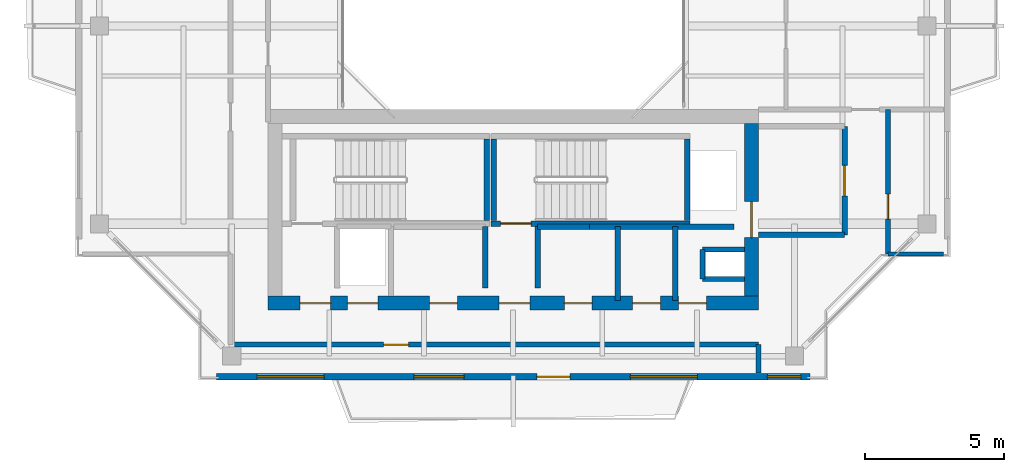
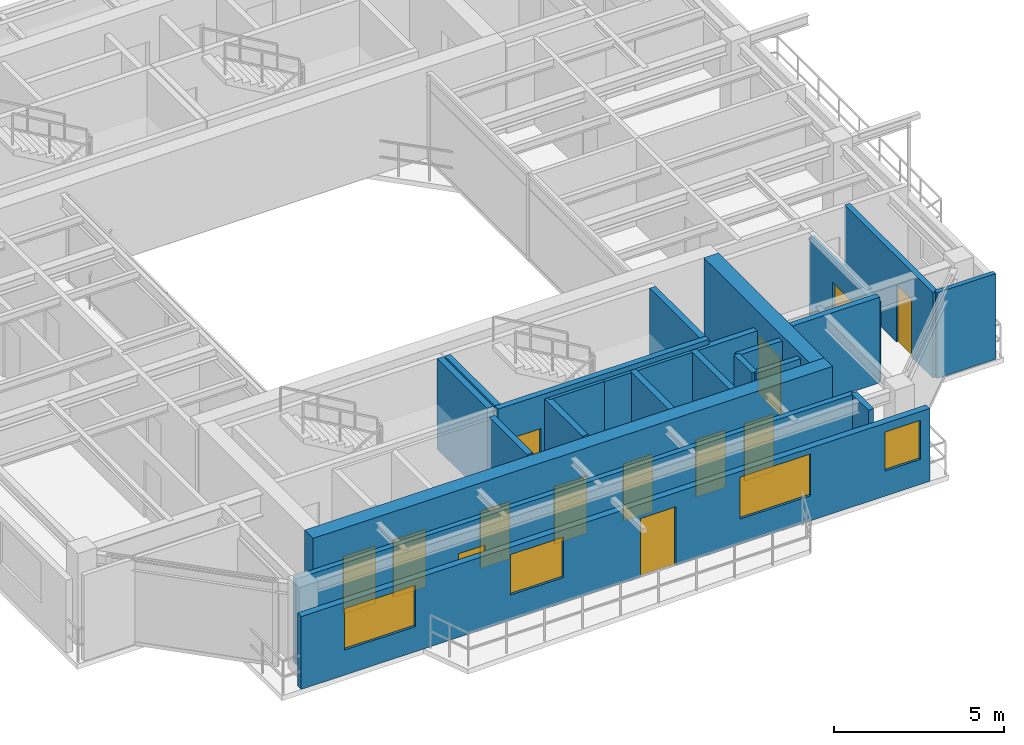
# One storey, part 9 of 14: 22 walls, 13 doors, 4 windows, 17 openings.
"""IFC4 building model written with IfcOpenShell, lengths in metres."""

from ifc_helpers import new_model, si_unit, direction, frame, frame_2d, origin, place, context, subcontext, project, spatial, rectangle, extrude, source, transform, mapped, material, layer, layer_set, type_object, element, fill, save


model = new_model("IFC4")

# Units and contexts
model_context = context("Model", 3, precision=1e-05, world=origin(), true_north=direction((0.0, 1.0)))
body_context = subcontext(model_context, "Body", "Model", "MODEL_VIEW")
ifc_project = project(units=[si_unit("LENGTHUNIT", "METRE"), si_unit("AREAUNIT", "SQUARE_METRE"), si_unit("VOLUMEUNIT", "CUBIC_METRE"), si_unit("PLANEANGLEUNIT", "RADIAN"), si_unit("MASSUNIT", "GRAM", prefix="KILO"), si_unit("THERMODYNAMICTEMPERATUREUNIT", "KELVIN"), si_unit("POWERUNIT", "WATT")], contexts=[model_context])

# Site, building, storey
site_placement = place(None, origin())
site = spatial("IfcSite", under=ifc_project, at=site_placement, CompositionType="ELEMENT")
building_placement = place(site_placement, origin())
building = spatial("IfcBuilding", under=site, at=building_placement, Name="Qiaomeng Ring Towers", CompositionType="ELEMENT")
storey_placement = place(building_placement, frame((0.0, 0.0, 240.5)))
storey = spatial("IfcBuildingStorey", under=building, at=storey_placement, Name="L70", CompositionType="ELEMENT", Elevation=240.5)

# Wall, openings, windows, door
ifc_material_1 = material(Name="Precast concrete C40", Category="concrete")
ifc_layer_1 = layer(ifc_material_1, 0.219970703125, Name="Precast concrete C40")
ifc_layer_set_1 = layer_set([ifc_layer_1], Name="Precast concrete C40")
wall_type_1 = type_object("IfcWallType", Name="ARC-WL-EW2", PredefinedType="STANDARD", material=ifc_layer_set_1)
wall_1_placement = place(storey_placement, frame((8.35009765625, 7.409912109375, 0.0), z_axis=(0.0, 0.0, 1.0), x_axis=(1.0, 0.0, 0.0)))
wall_1 = element("IfcWall", 1, at=wall_1_placement, inside=storey, type_object=wall_type_1, Name="L70 Tower 1 S Exterior Wall", PredefinedType="STANDARD", context=body_context, shape_type="SweptSolid", body=[
    extrude(rectangle(XDim=21.2998046875, YDim=0.219970703125, at=frame_2d((10.64990234375, 0.0))), origin(), (0.0, 0.0, 1.0), 2.610107421875),
])
opening_1_placement = place(wall_1_placement, frame((11.5, 0.0, 0.0)))
opening_1 = element("IfcOpeningElement", 2, at=opening_1_placement, cuts=wall_1, Name="Opening BD1", PredefinedType="OPENING", context=body_context, shape_type="SweptSolid", body=[
    extrude(rectangle(XDim=1.199951171875, YDim=2.10009765625, at=frame_2d((0.60009765625, 1.050048828125))), frame((0.0, 0.119873046875, 0.0), z_axis=(0.0, -1.0, 0.0), x_axis=(1.0, 0.0, 0.0)), (0.0, 0.0, 1.0), 0.239990234375),
])
opening_2_placement = place(wall_1_placement, frame((1.462890625, 0.0, 0.89990234375)))
opening_2 = element("IfcOpeningElement", 3, at=opening_2_placement, cuts=wall_1, Name="Opening WN6", PredefinedType="OPENING", context=body_context, shape_type="SweptSolid", body=[
    extrude(rectangle(XDim=2.39990234375, YDim=1.47998046875, at=frame_2d((1.199951171875, 0.739990234375))), frame((0.0, 0.119873046875, 0.0), z_axis=(0.0, -1.0, 0.0), x_axis=(1.0, 0.0, 0.0)), (0.0, 0.0, 1.0), 0.239990234375),
])
opening_3_placement = place(wall_1_placement, frame((7.087890625, 0.0, 0.89990234375)))
opening_3 = element("IfcOpeningElement", 4, at=opening_3_placement, cuts=wall_1, Name="Opening WN1", PredefinedType="OPENING", context=body_context, shape_type="SweptSolid", body=[
    extrude(rectangle(XDim=1.800048828125, YDim=1.449951171875, at=frame_2d((0.89990234375, 0.72509765625))), frame((0.0, 0.119873046875, 0.0), z_axis=(0.0, -1.0, 0.0), x_axis=(1.0, 0.0, 0.0)), (0.0, 0.0, 1.0), 0.239990234375),
])
opening_4_placement = place(wall_1_placement, frame((19.77490234375, 0.0, 0.89990234375)))
opening_4 = element("IfcOpeningElement", 5, at=opening_4_placement, cuts=wall_1, Name="Opening WN3", PredefinedType="OPENING", context=body_context, shape_type="SweptSolid", body=[
    extrude(rectangle(XDim=1.199951171875, YDim=1.39990234375, at=frame_2d((0.60009765625, 0.699951171875))), frame((0.0, 0.119873046875, 0.0), z_axis=(0.0, -1.0, 0.0), x_axis=(1.0, 0.0, 0.0)), (0.0, 0.0, 1.0), 0.239990234375),
])
opening_5_placement = place(wall_1_placement, frame((14.860107421875, 0.0, 0.89990234375)))
opening_5 = element("IfcOpeningElement", 6, at=opening_5_placement, cuts=wall_1, Name="Opening WN6", PredefinedType="OPENING", context=body_context, shape_type="SweptSolid", body=[
    extrude(rectangle(XDim=2.39990234375, YDim=1.5, at=frame_2d((1.199951171875, 0.75))), frame((0.0, 0.119873046875, 0.0), z_axis=(0.0, -1.0, 0.0), x_axis=(1.0, 0.0, 0.0)), (0.0, 0.0, 1.0), 0.239990234375),
])
ifc_material_2 = material(Name="Low-E dark-grey laminated double glazing", Category="glass")
window_type_1 = type_object("IfcWindowType", Name="ARC-WN-1", PartitioningType="DOUBLE_PANEL_VERTICAL", PredefinedType="WINDOW", material=ifc_material_2)
shared_shape_1 = source(origin(), body_context, "Body", "SweptSolid", [
    extrude(rectangle(XDim=1.800048828125, YDim=1.449951171875, at=frame_2d((0.89990234375, 0.72509765625))), frame((0.0, 0.030029296875, 0.0), z_axis=(0.0, -1.0, 0.0), x_axis=(1.0, 0.0, 0.0)), (0.0, 0.0, 1.0), 0.06005859375),
])
window_1_placement = place(opening_3_placement, origin())
window_1 = element("IfcWindow", 7, at=window_1_placement, inside=storey, type_object=window_type_1, Name="L70 Exterior Window WN1", OverallHeight=1.449951171875, OverallWidth=1.800048828125, PartitioningType="DOUBLE_PANEL_VERTICAL", PredefinedType="WINDOW", context=body_context, shape_type="MappedRepresentation", body=[
    mapped(shared_shape_1, transform((0.0, 0.0, 0.0), x_axis=(1.0, 0.0, 0.0), y_axis=(0.0, 1.0, 0.0), z_axis=(0.0, 0.0, 1.0), scale=1.0)),
])
fill(opening_3, window_1)
window_type_2 = type_object("IfcWindowType", Name="ARC-WN-6", PartitioningType="TRIPLE_PANEL_VERTICAL", PredefinedType="WINDOW", material=ifc_material_2)
shared_shape_2 = source(origin(), body_context, "Body", "SweptSolid", [
    extrude(rectangle(XDim=2.39990234375, YDim=1.47998046875, at=frame_2d((1.199951171875, 0.739990234375))), frame((0.0, 0.030029296875, 0.0), z_axis=(0.0, -1.0, 0.0), x_axis=(1.0, 0.0, 0.0)), (0.0, 0.0, 1.0), 0.06005859375),
])
window_2_placement = place(opening_2_placement, origin())
window_2 = element("IfcWindow", 8, at=window_2_placement, inside=storey, type_object=window_type_2, Name="L70 Exterior Window WN6", OverallHeight=1.47998046875, OverallWidth=2.39990234375, PartitioningType="TRIPLE_PANEL_VERTICAL", PredefinedType="WINDOW", context=body_context, shape_type="MappedRepresentation", body=[
    mapped(shared_shape_2, transform((0.0, 0.0, 0.0), x_axis=(1.0, 0.0, 0.0), y_axis=(0.0, 1.0, 0.0), z_axis=(0.0, 0.0, 1.0), scale=1.0)),
])
fill(opening_2, window_2)
door_type_1 = type_object("IfcDoorType", Name="ARC-DR-BD1", OperationType="NOTDEFINED", PredefinedType="DOOR", material=ifc_material_2)
shared_shape_3 = source(origin(), body_context, "Body", "SweptSolid", [
    extrude(rectangle(XDim=1.199951171875, YDim=2.10009765625, at=frame_2d((0.60009765625, 1.050048828125))), frame((0.0, 0.02490234375, 0.0), z_axis=(0.0, -1.0, 0.0), x_axis=(1.0, 0.0, 0.0)), (0.0, 0.0, 1.0), 0.050048828125),
])
door_1_placement = place(opening_1_placement, frame((1.199951171875, 0.0, 0.0), z_axis=(0.0, 0.0, 1.0), x_axis=(-1.0, 0.0, 0.0)))
door_1 = element("IfcDoor", 9, at=door_1_placement, inside=storey, type_object=door_type_1, Name="L70 S Balcony Glazed Door", OperationType="SINGLE_SWING_LEFT", OverallHeight=2.10009765625, OverallWidth=1.199951171875, PredefinedType="DOOR", context=body_context, shape_type="MappedRepresentation", body=[
    mapped(shared_shape_3, transform((0.0, 0.0, 0.0), x_axis=(1.0, 0.0, 0.0), y_axis=(0.0, 1.0, 0.0), z_axis=(0.0, 0.0, 1.0), scale=1.0)),
])
fill(opening_1, door_1)
shared_shape_4 = source(origin(), body_context, "Body", "SweptSolid", [
    extrude(rectangle(XDim=2.39990234375, YDim=1.5, at=frame_2d((1.199951171875, 0.75))), frame((0.0, 0.030029296875, 0.0), z_axis=(0.0, -1.0, 0.0), x_axis=(1.0, 0.0, 0.0)), (0.0, 0.0, 1.0), 0.06005859375),
])
window_3_placement = place(opening_5_placement, origin())
window_3 = element("IfcWindow", 10, at=window_3_placement, inside=storey, type_object=window_type_2, Name="L70 Exterior Window WN6", OverallHeight=1.5, OverallWidth=2.39990234375, PartitioningType="TRIPLE_PANEL_VERTICAL", PredefinedType="WINDOW", context=body_context, shape_type="MappedRepresentation", body=[
    mapped(shared_shape_4, transform((0.0, 0.0, 0.0), x_axis=(1.0, 0.0, 0.0), y_axis=(0.0, 1.0, 0.0), z_axis=(0.0, 0.0, 1.0), scale=1.0)),
])
fill(opening_5, window_3)
window_type_3 = type_object("IfcWindowType", Name="ARC-WN-3", PartitioningType="SINGLE_PANEL", PredefinedType="WINDOW", material=ifc_material_2)
shared_shape_5 = source(origin(), body_context, "Body", "SweptSolid", [
    extrude(rectangle(XDim=1.199951171875, YDim=1.39990234375, at=frame_2d((0.60009765625, 0.699951171875))), frame((0.0, 0.030029296875, 0.0), z_axis=(0.0, -1.0, 0.0), x_axis=(1.0, 0.0, 0.0)), (0.0, 0.0, 1.0), 0.06005859375),
])
window_4_placement = place(opening_4_placement, origin())
window_4 = element("IfcWindow", 11, at=window_4_placement, inside=storey, type_object=window_type_3, Name="L70 Exterior Window WN4", OverallHeight=1.39990234375, OverallWidth=1.199951171875, PartitioningType="TRIPLE_PANEL_VERTICAL", PredefinedType="WINDOW", context=body_context, shape_type="MappedRepresentation", body=[
    mapped(shared_shape_5, transform((0.0, 0.0, 0.0), x_axis=(1.0, 0.0, 0.0), y_axis=(0.0, 1.0, 0.0), z_axis=(0.0, 0.0, 1.0), scale=1.0)),
])
fill(opening_4, window_4)

# Wall
ifc_material_3 = material(Name="Autoclaved aerated concrete block", Category="concrete")
ifc_layer_2 = layer(ifc_material_3, 0.199951171875, Name="Autoclaved aerated concrete block")
ifc_layer_set_2 = layer_set([ifc_layer_2], Name="Autoclaved aerated concrete block")
wall_type_2 = type_object("IfcWallType", Name="ARC-WL-PW1", PredefinedType="PARTITIONING", material=ifc_layer_set_2)
wall_2_placement = place(storey_placement, frame((27.800048828125, 12.5, 0.0), z_axis=(0.0, 0.0, 1.0), x_axis=(1.0, 0.0, 0.0)))
element("IfcWall", 12, at=wall_2_placement, inside=storey, type_object=wall_type_2, Name="L70 Interior Wall PW1", PredefinedType="PARTITIONING", context=body_context, shape_type="SweptSolid", body=[
    extrude(rectangle(XDim=3.099853515625, YDim=0.199951171875, at=frame_2d((1.5498046875, 0.0))), origin(), (0.0, 0.0, 1.0), 3.070068359375),
])

# Wall, opening, door
wall_3_placement = place(storey_placement, frame((30.89990234375, 12.5, 0.0), z_axis=(0.0, 0.0, 1.0), x_axis=(0.0, 1.0, 0.0)))
wall_3 = element("IfcWall", 13, at=wall_3_placement, inside=storey, type_object=wall_type_2, Name="L70 Interior Wall PW1", PredefinedType="PARTITIONING", context=body_context, shape_type="SweptSolid", body=[
    extrude(rectangle(XDim=3.89990234375, YDim=0.199951171875, at=frame_2d((1.949951171875, 0.0))), origin(), (0.0, 0.0, 1.0), 2.821044921875),
])
opening_6_placement = place(wall_3_placement, frame((1.39990234375, 0.0, 0.0)))
opening_6 = element("IfcOpeningElement", 14, at=opening_6_placement, cuts=wall_3, Name="Opening FD3", PredefinedType="OPENING", context=body_context, shape_type="SweptSolid", body=[
    extrude(rectangle(XDim=1.10009765625, YDim=2.050048828125, at=frame_2d((0.550048828125, 1.02490234375))), frame((0.0, 0.10986328125, 0.0), z_axis=(0.0, -1.0, 0.0), x_axis=(1.0, 0.0, 0.0)), (0.0, 0.0, 1.0), 0.219970703125),
])
ifc_material_4 = material(Name="Galvanised steel", Category="steel")
door_type_2 = type_object("IfcDoorType", Name="ARC-DR-FD3", OperationType="NOTDEFINED", PredefinedType="DOOR", material=ifc_material_4)
shared_shape_6 = source(origin(), body_context, "Body", "SweptSolid", [
    extrude(rectangle(XDim=1.10009765625, YDim=2.050048828125, at=frame_2d((0.550048828125, 1.02490234375))), frame((0.0, 0.02490234375, 0.0), z_axis=(0.0, -1.0, 0.0), x_axis=(1.0, 0.0, 0.0)), (0.0, 0.0, 1.0), 0.050048828125),
])
door_2_placement = place(opening_6_placement, origin())
door_2 = element("IfcDoor", 15, at=door_2_placement, inside=storey, type_object=door_type_2, Name="L70 South FF Lobby Door", OperationType="SINGLE_SWING_LEFT", OverallHeight=2.050048828125, OverallWidth=1.10009765625, PredefinedType="DOOR", context=body_context, shape_type="MappedRepresentation", body=[
    mapped(shared_shape_6, transform((0.0, 0.0, 0.0), x_axis=(1.0, 0.0, 0.0), y_axis=(0.0, 1.0, 0.0), z_axis=(0.0, 0.0, 1.0), scale=1.0)),
])
fill(opening_6, door_2)

# Walls
for number, where, z_axis, x_axis, name in (
    (16, (18.0, 10.60009765625, 0.0), (0.0, 0.0, 1.0), (0.0, 1.0, 0.0), "L70 Interior Wall PW1"),
    (17, (19.8798828125, 10.60009765625, 0.0), (0.0, 0.0, 1.0), (0.0, 1.0, 0.0), "L70 Interior Wall PW1"),
):
    element("IfcWall", number, at=place(storey_placement, frame(where, z_axis=z_axis, x_axis=x_axis)), inside=storey, type_object=wall_type_2, Name=name, PredefinedType="PARTITIONING", context=body_context, shape_type="SweptSolid", body=[
        extrude(rectangle(XDim=2.2099609375, YDim=0.199951171875, at=frame_2d((1.10498046875, 0.0))), origin(), (0.0, 0.0, 1.0), 3.070068359375),
    ])
wall_4_placement = place(storey_placement, frame((24.820068359375, 10.14990234375, 0.0), z_axis=(0.0, 0.0, 1.0), x_axis=(0.0, 1.0, 0.0)))
element("IfcWall", 18, at=wall_4_placement, inside=storey, type_object=wall_type_2, Name="L70 Interior Wall PW1", PredefinedType="PARTITIONING", context=body_context, shape_type="SweptSolid", body=[
    extrude(rectangle(XDim=2.650146484375, YDim=0.199951171875, at=frame_2d((1.3251953125, 0.0))), origin(), (0.0, 0.0, 1.0), 3.070068359375),
])
wall_5_placement = place(storey_placement, frame((19.8798828125, 12.800048828125, 0.0), z_axis=(0.0, 0.0, 1.0), x_axis=(1.0, 0.0, 0.0)))
element("IfcWall", 19, at=wall_5_placement, inside=storey, type_object=wall_type_2, Name="L70 Interior Wall PW1", PredefinedType="PARTITIONING", context=body_context, shape_type="SweptSolid", body=[
    extrude(rectangle(XDim=1.8701171875, YDim=0.199951171875, at=frame_2d((0.93505859375, 0.0))), origin(), (0.0, 0.0, 1.0), 3.070068359375),
])
wall_6_placement = place(storey_placement, frame((22.760009765625, 10.14990234375, 0.0), z_axis=(0.0, 0.0, 1.0), x_axis=(0.0, 1.0, 0.0)))
element("IfcWall", 20, at=wall_6_placement, inside=storey, type_object=wall_type_2, Name="L70 Interior Wall PW1", PredefinedType="PARTITIONING", context=body_context, shape_type="SweptSolid", body=[
    extrude(rectangle(XDim=2.650146484375, YDim=0.199951171875, at=frame_2d((1.3251953125, 0.0))), origin(), (0.0, 0.0, 1.0), 3.070068359375),
])
wall_7_placement = place(storey_placement, frame((21.75, 12.800048828125, 0.0), z_axis=(0.0, 0.0, 1.0), x_axis=(1.0, 0.0, 0.0)))
element("IfcWall", 21, at=wall_7_placement, inside=storey, type_object=wall_type_2, Name="L70 Interior Wall PW1", PredefinedType="PARTITIONING", context=body_context, shape_type="SweptSolid", body=[
    extrude(rectangle(XDim=5.169921875, YDim=0.199951171875, at=frame_2d((2.5849609375, 0.0))), origin(), (0.0, 0.0, 1.0), 3.070068359375),
])
ifc_layer_3 = layer(ifc_material_3, 0.179931640625, Name="Autoclaved aerated concrete block")
ifc_layer_set_3 = layer_set([ifc_layer_3], Name="Autoclaved aerated concrete block")
wall_type_3 = type_object("IfcWallType", Name="ARC-WL-PW2", PredefinedType="PARTITIONING", material=ifc_layer_set_3)
wall_8_placement = place(storey_placement, frame((27.800048828125, 7.550048828125, 0.0), z_axis=(0.0, 0.0, 1.0), x_axis=(0.0, 1.0, 0.0)))
element("IfcWall", 22, at=wall_8_placement, inside=storey, type_object=wall_type_3, Name="L70 Interior Wall PW2", PredefinedType="PARTITIONING", context=body_context, shape_type="SweptSolid", body=[
    extrude(rectangle(XDim=1.010009765625, YDim=0.179931640625, at=frame_2d((0.5048828125, 0.0))), origin(), (0.0, 0.0, 1.0), 3.070068359375),
])

# Wall, opening, door
wall_9_placement = place(storey_placement, frame((8.85009765625, 8.56005859375, 0.0), z_axis=(0.0, 0.0, 1.0), x_axis=(1.0, 0.0, 0.0)))
wall_9 = element("IfcWall", 23, at=wall_9_placement, inside=storey, type_object=wall_type_3, Name="L70 Interior Wall PW2", PredefinedType="PARTITIONING", context=body_context, shape_type="SweptSolid", body=[
    extrude(rectangle(XDim=18.949951171875, YDim=0.179931640625, at=frame_2d((9.47509765625, 0.0))), origin(), (0.0, 0.0, 1.0), 3.070068359375),
])
opening_7_placement = place(wall_9_placement, frame((5.5, 0.0, 0.0)))
opening_7 = element("IfcOpeningElement", 24, at=opening_7_placement, cuts=wall_9, Name="Opening ID1", PredefinedType="OPENING", context=body_context, shape_type="SweptSolid", body=[
    extrude(rectangle(XDim=0.89990234375, YDim=2.050048828125, at=frame_2d((0.449951171875, 1.02490234375))), frame((0.0, 0.099853515625, 0.0), z_axis=(0.0, -1.0, 0.0), x_axis=(1.0, 0.0, 0.0)), (0.0, 0.0, 1.0), 0.199951171875),
])
ifc_material_5 = material(Name="Engineered oak timber", Category="wood")
door_type_3 = type_object("IfcDoorType", Name="ARC-DR-ID1", OperationType="NOTDEFINED", PredefinedType="DOOR", material=ifc_material_5)
shared_shape_7 = source(origin(), body_context, "Body", "SweptSolid", [
    extrude(rectangle(XDim=0.89990234375, YDim=2.050048828125, at=frame_2d((0.449951171875, 1.02490234375))), frame((0.0, 0.02490234375, 0.0), z_axis=(0.0, -1.0, 0.0), x_axis=(1.0, 0.0, 0.0)), (0.0, 0.0, 1.0), 0.050048828125),
])
door_3_placement = place(opening_7_placement, origin())
door_3 = element("IfcDoor", 25, at=door_3_placement, inside=storey, type_object=door_type_3, Name="L70 Door ID1", OperationType="SINGLE_SWING_RIGHT", OverallHeight=2.050048828125, OverallWidth=0.89990234375, PredefinedType="DOOR", context=body_context, shape_type="MappedRepresentation", body=[
    mapped(shared_shape_7, transform((0.0, 0.0, 0.0), x_axis=(1.0, 0.0, 0.0), y_axis=(0.0, 1.0, 0.0), z_axis=(0.0, 0.0, 1.0), scale=1.0)),
])
fill(opening_7, door_3)

wall_10_placement = place(storey_placement, frame((32.449951171875, 11.820068359375, 0.0), z_axis=(0.0, 0.0, 1.0), x_axis=(0.0, 1.0, 0.0)))
wall_10 = element("IfcWall", 26, at=wall_10_placement, inside=storey, type_object=wall_type_3, Name="L70 Interior Wall PW2", PredefinedType="PARTITIONING", context=body_context, shape_type="SweptSolid", body=[
    extrude(rectangle(XDim=5.179931640625, YDim=0.179931640625, at=frame_2d((2.58984375, 0.0))), origin(), (0.0, 0.0, 1.0), 3.070068359375),
])
opening_8_placement = place(wall_10_placement, frame((1.25, 0.0, 0.0)))
opening_8 = element("IfcOpeningElement", 27, at=opening_8_placement, cuts=wall_10, Name="Opening ID1", PredefinedType="OPENING", context=body_context, shape_type="SweptSolid", body=[
    extrude(rectangle(XDim=0.89990234375, YDim=2.050048828125, at=frame_2d((0.449951171875, 1.02490234375))), frame((0.0, 0.099853515625, 0.0), z_axis=(0.0, -1.0, 0.0), x_axis=(1.0, 0.0, 0.0)), (0.0, 0.0, 1.0), 0.199951171875),
])
door_4_placement = place(opening_8_placement, origin())
door_4 = element("IfcDoor", 28, at=door_4_placement, inside=storey, type_object=door_type_3, Name="L70 Door ID1", OperationType="SINGLE_SWING_LEFT", OverallHeight=2.050048828125, OverallWidth=0.89990234375, PredefinedType="DOOR", context=body_context, shape_type="MappedRepresentation", body=[
    mapped(shared_shape_7, transform((0.0, 0.0, 0.0), x_axis=(1.0, 0.0, 0.0), y_axis=(0.0, 1.0, 0.0), z_axis=(0.0, 0.0, 1.0), scale=1.0)),
])
fill(opening_8, door_4)

# Walls
ifc_material_6 = material(Name="Gypsum fireboard steel-stud partition", Category="steel")
ifc_layer_4 = layer(ifc_material_6, 0.14990234375, Name="Gypsum fireboard steel-stud partition")
ifc_layer_set_4 = layer_set([ifc_layer_4], Name="Gypsum fireboard steel-stud partition")
wall_type_4 = type_object("IfcWallType", Name="ARC-WL-PW3", PredefinedType="PARTITIONING", material=ifc_layer_set_4)
wall_11_placement = place(storey_placement, frame((32.449951171875, 11.820068359375, 0.0), z_axis=(0.0, 0.0, 1.0), x_axis=(1.0, 0.0, 0.0)))
element("IfcWall", 29, at=wall_11_placement, inside=storey, type_object=wall_type_4, Name="L70 Interior Wall PW3", PredefinedType="PARTITIONING", context=body_context, shape_type="SweptSolid", body=[
    extrude(rectangle(XDim=2.0, YDim=0.14990234375, at=frame_2d((1.0, 0.0))), origin(), (0.0, 0.0, 1.0), 3.070068359375),
])
ifc_material_7 = material(Name="Concrete C40", Category="concrete")
ifc_layer_5 = layer(ifc_material_7, 0.199951171875, Name="Concrete C40")
ifc_layer_set_5 = layer_set([ifc_layer_5], Name="Concrete C40")
wall_type_5 = type_object("IfcWallType", Name="STR-WL-STSHAFT", PredefinedType="SHEAR", material=ifc_layer_set_5)
wall_12_placement = place(storey_placement, frame((25.800048828125, 10.919921875, 0.0), z_axis=(0.0, 0.0, 1.0), x_axis=(0.0, 1.0, 0.0)))
element("IfcWall", 30, at=wall_12_placement, inside=storey, type_object=wall_type_5, Name="L70 Riser RSR1 West Shaft Wall S", PredefinedType="SHEAR", context=body_context, shape_type="SweptSolid", body=[
    extrude(rectangle(XDim=1.06005859375, YDim=0.179931640625, at=frame_2d((0.530029296875, 0.0))), origin(), (0.0, 0.0, 1.0), 3.070068359375),
])
for number, where, z_axis, x_axis, name in (
    (31, (25.800048828125, 11.97998046875, 0.0), (0.0, 0.0, 1.0), (1.0, 0.0, 0.0), "L70 Riser RSR1 North Shaft Wall S"),
    (32, (25.800048828125, 10.919921875, 0.0), (0.0, 0.0, 1.0), (1.0, 0.0, 0.0), "L70 Riser RSR1 South Shaft Wall S"),
):
    element("IfcWall", number, at=place(storey_placement, frame(where, z_axis=z_axis, x_axis=x_axis)), inside=storey, type_object=wall_type_5, Name=name, PredefinedType="SHEAR", context=body_context, shape_type="SweptSolid", body=[
        extrude(rectangle(XDim=1.5, YDim=0.179931640625, at=frame_2d((0.75, 0.0))), origin(), (0.0, 0.0, 1.0), 3.070068359375),
    ])
wall_13_placement = place(storey_placement, frame((18.050048828125, 13.010009765625, 0.0), z_axis=(0.0, 0.0, 1.0), x_axis=(0.0, 1.0, 0.0)))
element("IfcWall", 33, at=wall_13_placement, inside=storey, type_object=wall_type_5, Name="L70 Stair ST3 East Shaft Shear Wall", PredefinedType="SHEAR", context=body_context, shape_type="SweptSolid", body=[
    extrude(rectangle(XDim=2.93994140625, YDim=0.199951171875, at=frame_2d((1.469970703125, 0.0))), origin(), (0.0, 0.0, 1.0), 3.25),
])

# Wall, opening, door
wall_14_placement = place(storey_placement, frame((18.199951171875, 12.909912109375, 0.0), z_axis=(0.0, 0.0, 1.0), x_axis=(1.0, 0.0, 0.0)))
wall_14 = element("IfcWall", 34, at=wall_14_placement, inside=storey, type_object=wall_type_5, Name="L70 Stair ST4 South Shaft Shear Wall", PredefinedType="SHEAR", context=body_context, shape_type="SweptSolid", body=[
    extrude(rectangle(XDim=7.150146484375, YDim=0.199951171875, at=frame_2d((3.5751953125, 0.0))), origin(), (0.0, 0.0, 1.0), 3.25),
])
opening_9_placement = place(wall_14_placement, frame((0.35009765625, 0.0, 0.0)))
opening_9 = element("IfcOpeningElement", 35, at=opening_9_placement, cuts=wall_14, Name="Opening FD3", PredefinedType="OPENING", context=body_context, shape_type="SweptSolid", body=[
    extrude(rectangle(XDim=1.10009765625, YDim=2.050048828125, at=frame_2d((0.550048828125, 1.02490234375))), frame((0.0, 0.10986328125, 0.0), z_axis=(0.0, -1.0, 0.0), x_axis=(1.0, 0.0, 0.0)), (0.0, 0.0, 1.0), 0.219970703125),
])
door_5_placement = place(opening_9_placement, frame((1.10009765625, 0.0, 0.0), z_axis=(0.0, 0.0, 1.0), x_axis=(-1.0, 0.0, 0.0)))
door_5 = element("IfcDoor", 36, at=door_5_placement, inside=storey, type_object=door_type_2, Name="L70 Stair ST4 Exit Door", OperationType="SINGLE_SWING_LEFT", OverallHeight=2.050048828125, OverallWidth=1.10009765625, PredefinedType="DOOR", context=body_context, shape_type="MappedRepresentation", body=[
    mapped(shared_shape_6, transform((0.0, 0.0, 0.0), x_axis=(1.0, 0.0, 0.0), y_axis=(0.0, 1.0, 0.0), z_axis=(0.0, 0.0, 1.0), scale=1.0)),
])
fill(opening_9, door_5)

# Walls
for number, where, z_axis, x_axis, name in (
    (37, (18.300048828125, 13.010009765625, 0.0), (0.0, 0.0, 1.0), (0.0, 1.0, 0.0), "L70 Stair ST4 West Shaft Shear Wall"),
    (38, (25.25, 13.010009765625, 0.0), (0.0, 0.0, 1.0), (0.0, 1.0, 0.0), "L70 Stair ST4 East Shaft Shear Wall"),
):
    element("IfcWall", number, at=place(storey_placement, frame(where, z_axis=z_axis, x_axis=x_axis)), inside=storey, type_object=wall_type_5, Name=name, PredefinedType="SHEAR", context=body_context, shape_type="SweptSolid", body=[
        extrude(rectangle(XDim=2.93994140625, YDim=0.199951171875, at=frame_2d((1.469970703125, 0.0))), origin(), (0.0, 0.0, 1.0), 3.25),
    ])

# Wall, openings, doors
ifc_layer_6 = layer(ifc_material_7, 0.5, Name="Concrete C40")
ifc_layer_set_6 = layer_set([ifc_layer_6], Name="Concrete C40")
wall_type_6 = type_object("IfcWallType", Name="STR-WL-SW3", PredefinedType="SHEAR", material=ifc_layer_set_6)
wall_15_placement = place(storey_placement, frame((10.199951171875, 10.050048828125, 0.0), z_axis=(0.0, 0.0, 1.0), x_axis=(1.0, 0.0, 0.0)))
wall_15 = element("IfcWall", 39, at=wall_15_placement, inside=storey, type_object=wall_type_6, Name="L70 T1SC south core shear wall", PredefinedType="SHEAR", context=body_context, shape_type="SweptSolid", body=[
    extrude(rectangle(XDim=17.60009765625, YDim=0.5, at=frame_2d((8.800048828125, 0.0))), origin(), (0.0, 0.0, 1.0), 3.25),
])
opening_10_placement = place(wall_15_placement, frame((1.14990234375, 0.0, 0.0)))
opening_10 = element("IfcOpeningElement", 40, at=opening_10_placement, cuts=wall_15, Name="Opening FD3", PredefinedType="OPENING", context=body_context, shape_type="SweptSolid", body=[
    extrude(rectangle(XDim=1.10009765625, YDim=2.050048828125, at=frame_2d((0.550048828125, 1.02490234375))), frame((0.0, 0.260009765625, 0.0), z_axis=(0.0, -1.0, 0.0), x_axis=(1.0, 0.0, 0.0)), (0.0, 0.0, 1.0), 0.52001953125),
])
opening_11_placement = place(wall_15_placement, frame((8.300048828125, 0.0, 0.0)))
opening_11 = element("IfcOpeningElement", 41, at=opening_11_placement, cuts=wall_15, Name="Opening FD3", PredefinedType="OPENING", context=body_context, shape_type="SweptSolid", body=[
    extrude(rectangle(XDim=1.10009765625, YDim=2.050048828125, at=frame_2d((0.550048828125, 1.02490234375))), frame((0.0, 0.260009765625, 0.0), z_axis=(0.0, -1.0, 0.0), x_axis=(1.0, 0.0, 0.0)), (0.0, 0.0, 1.0), 0.52001953125),
])
opening_12_placement = place(wall_15_placement, frame((2.85009765625, 0.0, 0.0)))
opening_12 = element("IfcOpeningElement", 42, at=opening_12_placement, cuts=wall_15, Name="Opening LD1", PredefinedType="OPENING", context=body_context, shape_type="SweptSolid", body=[
    extrude(rectangle(XDim=1.10009765625, YDim=2.050048828125, at=frame_2d((0.550048828125, 1.02490234375))), frame((0.0, 0.260009765625, 0.0), z_axis=(0.0, -1.0, 0.0), x_axis=(1.0, 0.0, 0.0)), (0.0, 0.0, 1.0), 0.52001953125),
])
opening_13_placement = place(wall_15_placement, frame((5.800048828125, 0.0, 0.0)))
opening_13 = element("IfcOpeningElement", 43, at=opening_13_placement, cuts=wall_15, Name="Opening FD1", PredefinedType="OPENING", context=body_context, shape_type="SweptSolid", body=[
    extrude(rectangle(XDim=1.0, YDim=2.050048828125, at=frame_2d((0.5, 1.02490234375))), frame((0.0, 0.260009765625, 0.0), z_axis=(0.0, -1.0, 0.0), x_axis=(1.0, 0.0, 0.0)), (0.0, 0.0, 1.0), 0.52001953125),
])
opening_14_placement = place(wall_15_placement, frame((14.739990234375, 0.0, 0.0)))
opening_14 = element("IfcOpeningElement", 44, at=opening_14_placement, cuts=wall_15, Name="Opening FD1", PredefinedType="OPENING", context=body_context, shape_type="SweptSolid", body=[
    extrude(rectangle(XDim=1.0, YDim=2.050048828125, at=frame_2d((0.5, 1.02490234375))), frame((0.0, 0.260009765625, 0.0), z_axis=(0.0, -1.0, 0.0), x_axis=(1.0, 0.0, 0.0)), (0.0, 0.0, 1.0), 0.52001953125),
])
opening_15_placement = place(wall_15_placement, frame((10.639892578125, 0.0, 0.0)))
opening_15 = element("IfcOpeningElement", 45, at=opening_15_placement, cuts=wall_15, Name="Opening FD1", PredefinedType="OPENING", context=body_context, shape_type="SweptSolid", body=[
    extrude(rectangle(XDim=1.0, YDim=2.050048828125, at=frame_2d((0.5, 1.02490234375))), frame((0.0, 0.260009765625, 0.0), z_axis=(0.0, -1.0, 0.0), x_axis=(1.0, 0.0, 0.0)), (0.0, 0.0, 1.0), 0.52001953125),
])
opening_16_placement = place(wall_15_placement, frame((13.090087890625, 0.0, 0.0)))
opening_16 = element("IfcOpeningElement", 46, at=opening_16_placement, cuts=wall_15, Name="Opening FD1", PredefinedType="OPENING", context=body_context, shape_type="SweptSolid", body=[
    extrude(rectangle(XDim=1.0, YDim=2.050048828125, at=frame_2d((0.5, 1.02490234375))), frame((0.0, 0.260009765625, 0.0), z_axis=(0.0, -1.0, 0.0), x_axis=(1.0, 0.0, 0.0)), (0.0, 0.0, 1.0), 0.52001953125),
])
door_6_placement = place(opening_10_placement, origin())
door_6 = element("IfcDoor", 47, at=door_6_placement, inside=storey, type_object=door_type_2, Name="L70 Stair ST3 Lobby Door", OperationType="SINGLE_SWING_RIGHT", OverallHeight=2.050048828125, OverallWidth=1.10009765625, PredefinedType="DOOR", context=body_context, shape_type="MappedRepresentation", body=[
    mapped(shared_shape_6, transform((0.0, 0.0, 0.0), x_axis=(1.0, 0.0, 0.0), y_axis=(0.0, 1.0, 0.0), z_axis=(0.0, 0.0, 1.0), scale=1.0)),
])
fill(opening_10, door_6)
door_7_placement = place(opening_11_placement, origin())
door_7 = element("IfcDoor", 48, at=door_7_placement, inside=storey, type_object=door_type_2, Name="L70 Stair ST4 Lobby Door", OperationType="SINGLE_SWING_RIGHT", OverallHeight=2.050048828125, OverallWidth=1.10009765625, PredefinedType="DOOR", context=body_context, shape_type="MappedRepresentation", body=[
    mapped(shared_shape_6, transform((0.0, 0.0, 0.0), x_axis=(1.0, 0.0, 0.0), y_axis=(0.0, 1.0, 0.0), z_axis=(0.0, 0.0, 1.0), scale=1.0)),
])
fill(opening_11, door_7)
ifc_material_8 = material(Name="Stainless steel 316", Category="steel")
door_type_4 = type_object("IfcDoorType", Name="ARC-DR-LD1", OperationType="NOTDEFINED", PredefinedType="DOOR", material=ifc_material_8)
door_8_placement = place(opening_12_placement, origin())
door_8 = element("IfcDoor", 49, at=door_8_placement, inside=storey, type_object=door_type_4, Name="L70 High-Zone Lift LP6 Landing Door", OperationType="SLIDING_TO_RIGHT", OverallHeight=2.050048828125, OverallWidth=1.10009765625, PredefinedType="DOOR", context=body_context, shape_type="MappedRepresentation", body=[
    mapped(shared_shape_6, transform((0.0, 0.0, 0.0), x_axis=(1.0, 0.0, 0.0), y_axis=(0.0, 1.0, 0.0), z_axis=(0.0, 0.0, 1.0), scale=1.0)),
])
fill(opening_12, door_8)
door_type_5 = type_object("IfcDoorType", Name="ARC-DR-FD1", OperationType="NOTDEFINED", PredefinedType="DOOR", material=ifc_material_4)
shared_shape_8 = source(origin(), body_context, "Body", "SweptSolid", [
    extrude(rectangle(XDim=1.0, YDim=2.050048828125, at=frame_2d((0.5, 1.02490234375))), frame((0.0, 0.02490234375, 0.0), z_axis=(0.0, -1.0, 0.0), x_axis=(1.0, 0.0, 0.0)), (0.0, 0.0, 1.0), 0.050048828125),
])
door_9_placement = place(opening_13_placement, origin())
door_9 = element("IfcDoor", 50, at=door_9_placement, inside=storey, type_object=door_type_5, Name="L70 High-Zone Freed Core Room Door", OperationType="SINGLE_SWING_RIGHT", OverallHeight=2.050048828125, OverallWidth=1.0, PredefinedType="DOOR", context=body_context, shape_type="MappedRepresentation", body=[
    mapped(shared_shape_8, transform((0.0, 0.0, 0.0), x_axis=(1.0, 0.0, 0.0), y_axis=(0.0, 1.0, 0.0), z_axis=(0.0, 0.0, 1.0), scale=1.0)),
])
fill(opening_13, door_9)
door_10_placement = place(opening_14_placement, origin())
door_10 = element("IfcDoor", 51, at=door_10_placement, inside=storey, type_object=door_type_5, Name="L70 South Electrical Riser Door", OperationType="SINGLE_SWING_RIGHT", OverallHeight=2.050048828125, OverallWidth=1.0, PredefinedType="DOOR", context=body_context, shape_type="MappedRepresentation", body=[
    mapped(shared_shape_8, transform((0.0, 0.0, 0.0), x_axis=(1.0, 0.0, 0.0), y_axis=(0.0, 1.0, 0.0), z_axis=(0.0, 0.0, 1.0), scale=1.0)),
])
fill(opening_14, door_10)
door_11_placement = place(opening_15_placement, origin())
door_11 = element("IfcDoor", 52, at=door_11_placement, inside=storey, type_object=door_type_5, Name="L70 South Telemetry Study Door", OperationType="SINGLE_SWING_LEFT", OverallHeight=2.050048828125, OverallWidth=1.0, PredefinedType="DOOR", context=body_context, shape_type="MappedRepresentation", body=[
    mapped(shared_shape_8, transform((0.0, 0.0, 0.0), x_axis=(1.0, 0.0, 0.0), y_axis=(0.0, 1.0, 0.0), z_axis=(0.0, 0.0, 1.0), scale=1.0)),
])
fill(opening_15, door_11)
door_12_placement = place(opening_16_placement, origin())
door_12 = element("IfcDoor", 53, at=door_12_placement, inside=storey, type_object=door_type_5, Name="L70 South Staff Pantry Door", OperationType="SINGLE_SWING_RIGHT", OverallHeight=2.050048828125, OverallWidth=1.0, PredefinedType="DOOR", context=body_context, shape_type="MappedRepresentation", body=[
    mapped(shared_shape_8, transform((0.0, 0.0, 0.0), x_axis=(1.0, 0.0, 0.0), y_axis=(0.0, 1.0, 0.0), z_axis=(0.0, 0.0, 1.0), scale=1.0)),
])
fill(opening_16, door_12)

# Wall, opening, door
wall_16_placement = place(storey_placement, frame((27.550048828125, 10.300048828125, 0.0), z_axis=(0.0, 0.0, 1.0), x_axis=(0.0, 1.0, 0.0)))
wall_16 = element("IfcWall", 54, at=wall_16_placement, inside=storey, type_object=wall_type_6, Name="L70 T1SC east core shear wall", PredefinedType="SHEAR", context=body_context, shape_type="SweptSolid", body=[
    extrude(rectangle(XDim=6.199951171875, YDim=0.5, at=frame_2d((3.10009765625, 0.0))), origin(), (0.0, 0.0, 1.0), 3.25),
])
opening_17_placement = place(wall_16_placement, frame((2.10009765625, 0.0, 0.0)))
opening_17 = element("IfcOpeningElement", 55, at=opening_17_placement, cuts=wall_16, Name="Opening LD2", PredefinedType="OPENING", context=body_context, shape_type="SweptSolid", body=[
    extrude(rectangle(XDim=1.300048828125, YDim=2.050048828125, at=frame_2d((0.64990234375, 1.02490234375))), frame((0.0, 0.260009765625, 0.0), z_axis=(0.0, -1.0, 0.0), x_axis=(1.0, 0.0, 0.0)), (0.0, 0.0, 1.0), 0.52001953125),
])
door_type_6 = type_object("IfcDoorType", Name="ARC-DR-LD2", OperationType="NOTDEFINED", PredefinedType="DOOR", material=ifc_material_8)
shared_shape_9 = source(origin(), body_context, "Body", "SweptSolid", [
    extrude(rectangle(XDim=1.300048828125, YDim=2.050048828125, at=frame_2d((0.64990234375, 1.02490234375))), frame((0.0, 0.02490234375, 0.0), z_axis=(0.0, -1.0, 0.0), x_axis=(1.0, 0.0, 0.0)), (0.0, 0.0, 1.0), 0.050048828125),
])
door_13_placement = place(opening_17_placement, origin())
door_13 = element("IfcDoor", 56, at=door_13_placement, inside=storey, type_object=door_type_6, Name="L70 Firefighting Lift FL2 Landing Door", OperationType="SLIDING_TO_RIGHT", OverallHeight=2.050048828125, OverallWidth=1.300048828125, PredefinedType="DOOR", context=body_context, shape_type="MappedRepresentation", body=[
    mapped(shared_shape_9, transform((0.0, 0.0, 0.0), x_axis=(1.0, 0.0, 0.0), y_axis=(0.0, 1.0, 0.0), z_axis=(0.0, 0.0, 1.0), scale=1.0)),
])
fill(opening_17, door_13)

save(model, "model.ifc")
